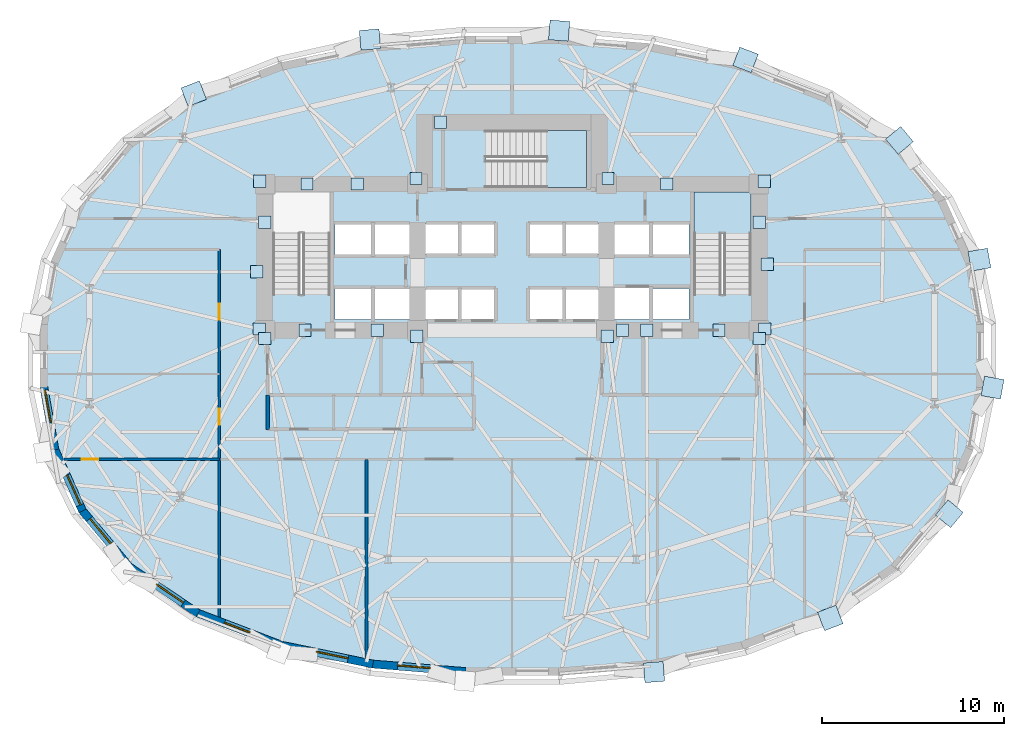
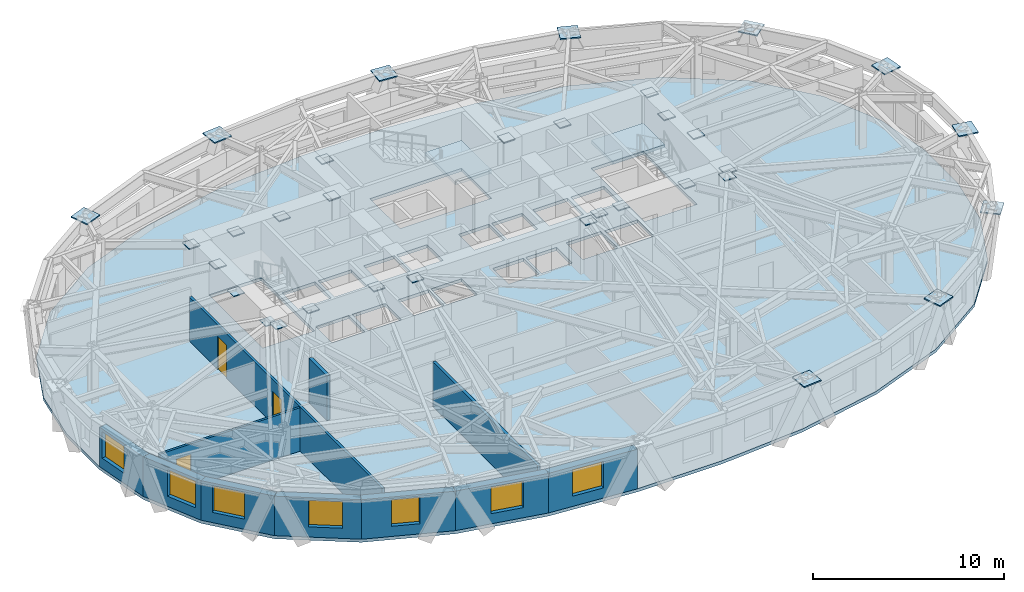
# One storey, part 5 of 13: 33 plates, 11 walls, 7 windows, 3 doors, 3 slabs, 10 openings, 2 elements without a shape of their own.
"""IFC4 building model written with IfcOpenShell, lengths in metres."""

from ifc_helpers import new_model, si_unit, direction, frame, frame_2d, origin, origin_2d, place, context, subcontext, project, spatial, polyline, rectangle, outline, extrude, material, layer, layer_set, type_object, element, fill, aggregate, save


model = new_model("IFC4")

# Units and contexts
model_context = context("Model", 3, precision=1e-05, world=origin(), true_north=direction((0.0, 1.0)))
body_context = subcontext(model_context, "Body", "Model", "MODEL_VIEW")
ifc_project = project(units=[si_unit("LENGTHUNIT", "METRE"), si_unit("AREAUNIT", "SQUARE_METRE"), si_unit("VOLUMEUNIT", "CUBIC_METRE"), si_unit("PLANEANGLEUNIT", "RADIAN"), si_unit("MASSUNIT", "GRAM", prefix="KILO")], contexts=[model_context])

# Site, building, storey
site_placement = place(None, origin())
site = spatial("IfcSite", under=ifc_project, at=site_placement, CompositionType="ELEMENT")
building_placement = place(site_placement, origin())
building = spatial("IfcBuilding", under=site, at=building_placement, Name="Keldmark Tower", CompositionType="ELEMENT")
storey_placement = place(building_placement, frame((0.0, 0.0, 34.199951171875)))
storey = spatial("IfcBuildingStorey", under=building, at=storey_placement, Name="L08", CompositionType="ELEMENT", Elevation=34.199951171875)

# Plates
ifc_material_1 = material(Name="Steel ASTM A572 Grade 50", Category="steel")
ifc_layer_1 = layer(ifc_material_1, 0.06005859375)
ifc_layer_set_1 = layer_set([ifc_layer_1], Name="Steel ASTM A572 Grade 50")
plate_type_1 = type_object("IfcPlateType", Name="Belt Truss Kink Node Assembly KN01 60 mm", PredefinedType="USERDEFINED", material=ifc_layer_set_1)
for number, where, z_axis, x_axis, name in (
    (1, (13.91162109375, 1.473388671875, 3.09814453125), (0.0, 0.0, 1.0), (1.0, 0.0, 0.0), "L08 Core Wall Cast-In Embed Plate 178"),
    (2, (13.878173828125, 9.608154296875, 3.09814453125), (0.0, 0.0, 1.0), (1.0, 0.0, 0.0), "L08 Core Wall Cast-In Embed Plate 179"),
    (3, (5.28515625, 9.758544921875, 3.09814453125), (0.0, 0.0, 1.0), (1.0, 0.0, 0.0), "L08 Core Wall Cast-In Embed Plate 180"),
    (4, (-5.28515625, 9.758544921875, 3.09814453125), (0.0, 0.0, 1.0), (1.0, 0.0, 0.0), "L08 Core Wall Cast-In Embed Plate 181"),
    (5, (-13.878173828125, 9.608154296875, 3.09814453125), (0.0, 0.0, 1.0), (1.0, 0.0, 0.0), "L08 Core Wall Cast-In Embed Plate 182"),
    (6, (-13.91162109375, 1.473388671875, 3.09814453125), (0.0, 0.0, 1.0), (1.0, 0.0, 0.0), "L08 Core Wall Cast-In Embed Plate 183"),
    (7, (-5.24072265625, 1.08251953125, 3.09814453125), (0.0, 0.0, 1.0), (1.0, 0.0, 0.0), "L08 Core Wall Cast-In Embed Plate 184"),
    (8, (5.24072265625, 1.08251953125, 3.09814453125), (0.0, 0.0, 1.0), (1.0, 0.0, 0.0), "L08 Core Wall Cast-In Embed Plate 185"),
    (9, (13.60009765625, 0.949951171875, 3.10400390625), (0.0, 0.0, 1.0), (1.0, 0.0, 0.0), "L08 Core Wall Cast-In Embed Plate 186"),
    (10, (13.60009765625, 7.343017578125, 3.10400390625), (0.0, 0.0, 1.0), (1.0, 0.0, 0.0), "L08 Core Wall Cast-In Embed Plate 187"),
    (11, (8.507080078125, 9.449951171875, 3.10400390625), (0.0, 0.0, 1.0), (1.0, 0.0, 0.0), "L08 Core Wall Cast-In Embed Plate 188"),
    (12, (-11.278564453125, 9.449951171875, 3.10400390625), (0.0, 0.0, 1.0), (1.0, 0.0, 0.0), "L08 Core Wall Cast-In Embed Plate 189"),
    (13, (-3.9375, 12.85009765625, 3.10400390625), (0.0, 0.0, 1.0), (1.0, 0.0, 0.0), "L08 Core Wall Cast-In Embed Plate 190"),
    (14, (-8.507080078125, 9.449951171875, 3.10400390625), (0.0, 0.0, 1.0), (1.0, 0.0, 0.0), "L08 Core Wall Cast-In Embed Plate 191"),
    (15, (-13.60009765625, 7.343017578125, 3.10400390625), (0.0, 0.0, 1.0), (1.0, 0.0, 0.0), "L08 Core Wall Cast-In Embed Plate 192"),
    (16, (-11.392822265625, 1.39990234375, 3.10400390625), (0.0, 0.0, 1.0), (1.0, 0.0, 0.0), "L08 Core Wall Cast-In Embed Plate 193"),
    (17, (-13.60009765625, 0.949951171875, 3.10400390625), (0.0, 0.0, 1.0), (1.0, 0.0, 0.0), "L08 Core Wall Cast-In Embed Plate 194"),
    (18, (-7.406982421875, 1.39990234375, 3.10400390625), (0.0, 0.0, 1.0), (1.0, 0.0, 0.0), "L08 Core Wall Cast-In Embed Plate 195"),
    (19, (7.406982421875, 1.39990234375, 3.10400390625), (0.0, 0.0, 1.0), (1.0, 0.0, 0.0), "L08 Core Wall Cast-In Embed Plate 196"),
    (20, (11.392822265625, 1.39990234375, 3.10400390625), (0.0, 0.0, 1.0), (1.0, 0.0, 0.0), "L08 Core Wall Cast-In Embed Plate 197"),
    (21, (6.07861328125, 1.39990234375, 3.10400390625), (0.0, 0.0, 1.0), (1.0, 0.0, 0.0), "L08 Core Wall Cast-In Embed Plate 198"),
    (22, (-14.044921875, 4.6201171875, 3.14404296875), (0.0, 0.0, 1.0), (1.0, 0.0, 0.0), "L08 Core Wall Cast-In Embed Plate 199"),
    (23, (14.044921875, 5.0400390625, 3.14404296875), (0.0, 0.0, 1.0), (1.0, 0.0, 0.0), "L08 Core Wall Cast-In Embed Plate 200"),
):
    element("IfcPlate", number, at=place(storey_placement, frame(where, z_axis=z_axis, x_axis=x_axis)), inside=storey, type_object=plate_type_1, Name=name, ObjectType="CAP PLATE", PredefinedType="USERDEFINED", context=body_context, shape_type="SweptSolid", body=[
        extrude(rectangle(XDim=0.679931640625, YDim=0.679931640625, at=origin_2d()), origin(), (0.0, 0.0, 1.0), 0.054931640625),
    ])
ifc_material_2 = material(Name="Steel ASTM A572 Grade 50", Category="steel")
ifc_layer_2 = layer(ifc_material_2, 0.074951171875)
ifc_layer_set_2 = layer_set([ifc_layer_2], Name="Steel ASTM A572 Grade 50")
plate_type_2 = type_object("IfcPlateType", Name="Diagrid Node Assembly DN01 75 mm", PredefinedType="USERDEFINED", material=ifc_layer_set_2)
for number, where, z_axis, x_axis, name in (
    (24, (25.716064453125, 5.290283203125, 3.24267578125), (0.0, 0.0, 1.0), (-0.173991929836, 0.984747078367, 0.0), "L08 Diagrid Node Assembly 01"),
    (25, (21.317626953125, 11.8515625, 3.24267578125), (0.0, 0.0, 1.0), (-0.640645906534, 0.767836455531, 0.0), "L08 Diagrid Node Assembly 03"),
    (26, (12.846923828125, 16.282470703125, 3.24267578125), (0.0, 0.0, 1.0), (-0.933955196575, 0.35739011009, 0.0), "L08 Diagrid Node Assembly 05"),
    (27, (2.59228515625, 17.8896484375, 3.24267578125), (0.0, 0.0, 1.0), (-0.996736749763, 0.080720825512, 0.0), "L08 Diagrid Node Assembly 07"),
    (28, (-7.81298828125, 17.39990234375, 3.24267578125), (0.0, 0.0, 1.0), (-0.996736749763, -0.080720825512, 0.0), "L08 Diagrid Node Assembly 09"),
    (29, (-17.510009765625, 14.4228515625, 3.24267578125), (0.0, 0.0, 1.0), (-0.933955196575, -0.35739011009, 0.0), "L08 Diagrid Node Assembly 11"),
    (30, (7.81298828125, -17.39990234375, 3.24267578125), (0.0, 0.0, 1.0), (0.996736749763, 0.080720825512, 0.0), "L08 Diagrid Node Assembly 25"),
    (31, (17.510009765625, -14.4228515625, 3.24267578125), (0.0, 0.0, 1.0), (0.933955196575, 0.35739011009, 0.0), "L08 Diagrid Node Assembly 27"),
    (32, (24.059814453125, -8.689697265625, 3.24267578125), (0.0, 0.0, 1.0), (0.640645906534, 0.767836455531, 0.0), "L08 Diagrid Node Assembly 29"),
    (33, (26.43798828125, -1.750244140625, 3.24267578125), (0.0, 0.0, 1.0), (0.173991929836, 0.984747078367, 0.0), "L08 Diagrid Node Assembly 31"),
):
    element("IfcPlate", number, at=place(storey_placement, frame(where, z_axis=z_axis, x_axis=x_axis)), inside=storey, type_object=plate_type_2, Name=name, ObjectType="GUSSET", PredefinedType="USERDEFINED", context=body_context, shape_type="SweptSolid", body=[
        extrude(rectangle(XDim=1.090087890625, YDim=1.090087890625, at=origin_2d()), origin(), (0.0, 0.0, 1.0), 0.074951171875),
    ])

# Slab
ifc_material_3 = material(Name="Concrete C35/45", Category="concrete")
ifc_layer_3 = layer(ifc_material_3, 0.199951171875)
ifc_layer_set_3 = layer_set([ifc_layer_3], Name="Concrete C35/45")
slab_type_1 = type_object("IfcSlabType", Name="Low-Rise Office Composite Slab 200 mm", PredefinedType="FLOOR", material=ifc_layer_set_3)
slab_1_placement = place(storey_placement, frame((0.0, 0.0, -0.199951171875)))
element("IfcSlab", 34, at=slab_1_placement, inside=storey, type_object=slab_type_1, Name="L08 Composite Structural Floor Slab", PredefinedType="FLOOR", context=body_context, shape_type="SweptSolid", body=[
    extrude(outline(polyline([(25.98291015625, 1.733154296875), (25.3681640625, 5.21142578125), (23.8310546875, 8.62646484375), (21.1982421875, 11.78173828125), (17.39697265625, 14.35595703125), (12.738037109375, 16.13916015625), (7.6953125, 17.179931640625), (2.55908203125, 17.59619140625), (-2.55908203125, 17.59619140625), (-7.6953125, 17.179931640625), (-12.738037109375, 16.13916015625), (-17.39697265625, 14.35595703125), (-21.1982421875, 11.78173828125), (-23.8310546875, 8.62646484375), (-25.3681640625, 5.21142578125), (-25.98291015625, 1.733154296875), (-25.98291015625, -1.733154296875), (-25.3681640625, -5.21142578125), (-23.8310546875, -8.62646484375), (-21.1982421875, -11.78173828125), (-17.39697265625, -14.35595703125), (-12.738037109375, -16.13916015625), (-7.6953125, -17.179931640625), (-2.55908203125, -17.59619140625), (2.55908203125, -17.59619140625), (7.6953125, -17.179931640625), (12.738037109375, -16.13916015625), (17.39697265625, -14.35595703125), (21.1982421875, -11.78173828125), (23.8310546875, -8.62646484375), (25.3681640625, -5.21142578125), (25.98291015625, -1.733154296875), (25.98291015625, 1.733154296875)]), holes=[polyline([(-10.0, 3.385009765625), (-10.0, 9.0), (-13.14990234375, 9.0), (-13.14990234375, 3.385009765625), (-10.0, 3.385009765625)]), polyline([(13.14990234375, 3.385009765625), (13.14990234375, 9.0), (10.0, 9.0), (10.0, 3.385009765625), (13.14990234375, 3.385009765625)]), polyline([(-1.43994140625, 9.25), (4.10498046875, 9.25), (4.10498046875, 12.39990234375), (-1.43994140625, 12.39990234375), (-1.43994140625, 9.25)]), polyline([(-9.75, 2.0), (-7.75, 2.0), (-7.75, 3.699951171875), (-9.75, 3.699951171875), (-9.75, 2.0)]), polyline([(7.75, 2.0), (9.75, 2.0), (9.75, 3.699951171875), (7.75, 3.699951171875), (7.75, 2.0)]), polyline([(5.449951171875, 2.0), (7.550048828125, 2.0), (7.550048828125, 3.75), (5.449951171875, 3.75), (5.449951171875, 2.0)]), polyline([(-4.800048828125, 2.0), (-2.949951171875, 2.0), (-2.949951171875, 3.64990234375), (-4.800048828125, 3.64990234375), (-4.800048828125, 2.0)]), polyline([(-2.800048828125, 2.0), (-0.949951171875, 2.0), (-0.949951171875, 3.64990234375), (-2.800048828125, 3.64990234375), (-2.800048828125, 2.0)]), polyline([(0.949951171875, 2.0), (2.800048828125, 2.0), (2.800048828125, 3.64990234375), (0.949951171875, 3.64990234375), (0.949951171875, 2.0)]), polyline([(2.949951171875, 2.0), (4.800048828125, 2.0), (4.800048828125, 3.64990234375), (2.949951171875, 3.64990234375), (2.949951171875, 2.0)]), polyline([(-4.800048828125, 5.60009765625), (-2.949951171875, 5.60009765625), (-2.949951171875, 7.25), (-4.800048828125, 7.25), (-4.800048828125, 5.60009765625)]), polyline([(-2.800048828125, 5.60009765625), (-0.949951171875, 5.60009765625), (-0.949951171875, 7.25), (-2.800048828125, 7.25), (-2.800048828125, 5.60009765625)]), polyline([(0.949951171875, 5.60009765625), (2.800048828125, 5.60009765625), (2.800048828125, 7.25), (0.949951171875, 7.25), (0.949951171875, 5.60009765625)]), polyline([(2.949951171875, 5.60009765625), (4.800048828125, 5.60009765625), (4.800048828125, 7.25), (2.949951171875, 7.25), (2.949951171875, 5.60009765625)]), polyline([(-9.75, 5.550048828125), (-7.75, 5.550048828125), (-7.75, 7.25), (-9.75, 7.25), (-9.75, 5.550048828125)]), polyline([(-7.550048828125, 5.550048828125), (-5.550048828125, 5.550048828125), (-5.550048828125, 7.25), (-7.550048828125, 7.25), (-7.550048828125, 5.550048828125)]), polyline([(-7.550048828125, 2.0), (-5.550048828125, 2.0), (-5.550048828125, 3.699951171875), (-7.550048828125, 3.699951171875), (-7.550048828125, 2.0)]), polyline([(5.449951171875, 5.550048828125), (7.550048828125, 5.550048828125), (7.550048828125, 7.25), (5.449951171875, 7.25), (5.449951171875, 5.550048828125)]), polyline([(7.75, 5.550048828125), (9.75, 5.550048828125), (9.75, 7.25), (7.75, 7.25), (7.75, 5.550048828125)])]), origin(), (0.0, 0.0, 1.0), 0.199951171875),
])

# Stair, slab
ifc_material_4 = material(Name="Concrete C40/50", Category="concrete")
stair_type = type_object("IfcStairType", Name="Precast Concrete Core Exit Stair", PredefinedType="HALF_TURN_STAIR", material=ifc_material_4)
stair_1_placement = place(storey_placement, origin())
stair_1 = element("IfcStair", 35, at=stair_1_placement, inside=storey, type_object=stair_type, Name="L08 Exit Stair ST2", PredefinedType="HALF_TURN_STAIR")
ifc_material_5 = material(Name="Concrete C40/50", Category="concrete")
ifc_layer_4 = layer(ifc_material_5, 0.199951171875)
ifc_layer_set_4 = layer_set([ifc_layer_4], Name="Concrete C40/50")
slab_type_2 = type_object("IfcSlabType", Name="Reinforced Concrete Stair Landing 200 mm", PredefinedType="LANDING", material=ifc_layer_set_4)
slab_2_placement = place(storey_placement, frame((0.0, 0.0, 1.60009765625)))
slab_2 = element("IfcSlab", 36, at=slab_2_placement, type_object=slab_type_2, Name="ST2 landing 1", PredefinedType="LANDING", context=body_context, shape_type="SweptSolid", body=[
    extrude(outline(polyline([(13.14990234375, 6.72998046875), (13.14990234375, 9.0), (10.0, 9.0), (10.0, 6.72998046875), (13.14990234375, 6.72998046875)])), origin(), (0.0, 0.0, 1.0), 0.199951171875),
])
aggregate(stair_1, [slab_2])

stair_2_placement = place(storey_placement, origin())
stair_2 = element("IfcStair", 37, at=stair_2_placement, inside=storey, type_object=stair_type, Name="L08 Exit Stair ST3", PredefinedType="HALF_TURN_STAIR")
slab_3_placement = place(storey_placement, frame((0.0, 0.0, 1.60009765625)))
slab_3 = element("IfcSlab", 38, at=slab_3_placement, type_object=slab_type_2, Name="ST3 landing 1", PredefinedType="LANDING", context=body_context, shape_type="SweptSolid", body=[
    extrude(outline(polyline([(1.905029296875, 9.25), (4.10498046875, 9.25), (4.10498046875, 12.39990234375), (1.905029296875, 12.39990234375), (1.905029296875, 9.25)])), origin(), (0.0, 0.0, 1.0), 0.199951171875),
])
aggregate(stair_2, [slab_3])

# Wall, openings, doors
ifc_material_6 = material(Name="Acoustic Double-Layer Gypsum Corridor Partition", Category="gypsum")
ifc_layer_5 = layer(ifc_material_6, 0.139892578125)
ifc_layer_set_5 = layer_set([ifc_layer_5], Name="Acoustic Double-Layer Gypsum Corridor Partition")
wall_type_1 = type_object("IfcWallType", Name="Acoustic Corridor Partition 140 mm", PredefinedType="PARTITIONING", material=ifc_layer_set_5)
wall_1_placement = place(storey_placement, frame((-16.10009765625, -14.372802734375, 0.0), z_axis=(0.0, 0.0, 1.0), x_axis=(0.0, 1.0, 0.0)))
wall_1 = element("IfcWall", 39, at=wall_1_placement, inside=storey, type_object=wall_type_1, Name="L08 Acoustic Corridor Partition 140 mm COR-W", PredefinedType="PARTITIONING", context=body_context, shape_type="SweptSolid", body=[
    extrude(rectangle(XDim=20.222900390625, YDim=0.139892578125, at=frame_2d((10.111328125, 0.0))), origin(), (0.0, 0.0, 1.0), 2.841064453125),
])
opening_1_placement = place(wall_1_placement, frame((10.572509765625, 0.0, 0.0)))
opening_1 = element("IfcOpeningElement", 40, at=opening_1_placement, cuts=wall_1, Name="Opening D-IN090", PredefinedType="OPENING", context=body_context, shape_type="SweptSolid", body=[
    extrude(rectangle(XDim=0.89990234375, YDim=2.10009765625, at=frame_2d((0.449951171875, 1.050048828125))), frame((0.0, 0.079833984375, 0.0), z_axis=(0.0, -1.0, 0.0), x_axis=(1.0, 0.0, 0.0)), (0.0, 0.0, 1.0), 0.159912109375),
])
opening_2_placement = place(wall_1_placement, frame((16.347412109375, 0.0, 0.0)))
opening_2 = element("IfcOpeningElement", 41, at=opening_2_placement, cuts=wall_1, Name="Opening D-IN090", PredefinedType="OPENING", context=body_context, shape_type="SweptSolid", body=[
    extrude(rectangle(XDim=0.89990234375, YDim=2.10009765625, at=frame_2d((0.449951171875, 1.050048828125))), frame((0.0, 0.079833984375, 0.0), z_axis=(0.0, -1.0, 0.0), x_axis=(1.0, 0.0, 0.0)), (0.0, 0.0, 1.0), 0.159912109375),
])
ifc_material_7 = material(Name="Stained American White Oak Veneer", Category="wood")
door_type = type_object("IfcDoorType", Name="Interior Door 900x2100", OperationType="NOTDEFINED", PredefinedType="DOOR", material=ifc_material_7)
door_1_placement = place(opening_1_placement, origin())
door_1 = element("IfcDoor", 42, at=door_1_placement, inside=storey, type_object=door_type, Name="L08 Interior Door 900x2100 D-WR-1-L08", OperationType="SINGLE_SWING_LEFT", OverallHeight=2.10009765625, OverallWidth=0.89990234375, PredefinedType="DOOR", context=body_context, shape_type="SweptSolid", body=[
    extrude(rectangle(XDim=0.89990234375, YDim=2.10009765625, at=frame_2d((0.449951171875, 1.050048828125))), frame((0.0, 0.02490234375, 0.0), z_axis=(0.0, -1.0, 0.0), x_axis=(1.0, 0.0, 0.0)), (0.0, 0.0, 1.0), 0.050048828125),
])
fill(opening_1, door_1)
door_2_placement = place(opening_2_placement, origin())
door_2 = element("IfcDoor", 43, at=door_2_placement, inside=storey, type_object=door_type, Name="L08 Interior Door 900x2100 D-WR-2-L08", OperationType="SINGLE_SWING_RIGHT", OverallHeight=2.10009765625, OverallWidth=0.89990234375, PredefinedType="DOOR", context=body_context, shape_type="SweptSolid", body=[
    extrude(rectangle(XDim=0.89990234375, YDim=2.10009765625, at=frame_2d((0.449951171875, 1.050048828125))), frame((0.0, 0.02490234375, 0.0), z_axis=(0.0, -1.0, 0.0), x_axis=(1.0, 0.0, 0.0)), (0.0, 0.0, 1.0), 0.050048828125),
])
fill(opening_2, door_2)

# Walls
ifc_material_8 = material(Name="STC-58 Insulated Tenant Demising Gypsum Partition", Category="gypsum")
ifc_layer_6 = layer(ifc_material_8, 0.175048828125)
ifc_layer_set_6 = layer_set([ifc_layer_6], Name="STC-58 Insulated Tenant Demising Gypsum Partition")
wall_type_2 = type_object("IfcWallType", Name="Demising Suite Partition 175 mm", PredefinedType="PARTITIONING", material=ifc_layer_set_6)
wall_2_placement = place(storey_placement, frame((-8.0, -16.65966796875, 0.0), z_axis=(0.0, 0.0, 1.0), x_axis=(0.0, 1.0, 0.0)))
element("IfcWall", 44, at=wall_2_placement, inside=storey, type_object=wall_type_2, Name="L08 Demising Suite Partition 175 mm S-DIV-1", PredefinedType="PARTITIONING", context=body_context, shape_type="SweptSolid", body=[
    extrude(rectangle(XDim=10.959716796875, YDim=0.175048828125, at=frame_2d((5.47998046875, 0.0))), origin(), (0.0, 0.0, 1.0), 2.85302734375),
])
ifc_material_9 = material(Name="Heavy Acoustic Plumbing Chase Gypsum Assembly", Category="gypsum")
ifc_layer_7 = layer(ifc_material_9, 0.18994140625)
ifc_layer_set_7 = layer_set([ifc_layer_7], Name="Heavy Acoustic Plumbing Chase Gypsum Assembly")
wall_type_3 = type_object("IfcWallType", Name="Heavy Wet Wall 190 mm", PredefinedType="PLUMBINGWALL", material=ifc_layer_set_7)
wall_3_placement = place(storey_placement, frame((-13.449951171875, -4.050048828125, 0.0), z_axis=(0.0, 0.0, 1.0), x_axis=(0.0, 1.0, 0.0)))
element("IfcWall", 45, at=wall_3_placement, inside=storey, type_object=wall_type_3, Name="L08 Heavy Wet Wall 190 mm SPK-W-W", PredefinedType="PLUMBINGWALL", context=body_context, shape_type="SweptSolid", body=[
    extrude(rectangle(XDim=1.900146484375, YDim=0.18994140625, at=frame_2d((0.9501953125, 0.0))), origin(), (0.0, 0.0, 1.0), 2.85302734375),
])

# Wall, opening, door
ifc_material_10 = material(Name="Acoustic Gypsum Board Interior Partition", Category="gypsum")
ifc_layer_8 = layer(ifc_material_10, 0.1298828125)
ifc_layer_set_8 = layer_set([ifc_layer_8], Name="Acoustic Gypsum Board Interior Partition")
wall_type_4 = type_object("IfcWallType", Name="Interior Partition 130 mm", PredefinedType="PARTITIONING", material=ifc_layer_set_8)
wall_4_placement = place(storey_placement, frame((-24.656982421875, -5.699951171875, 0.0), z_axis=(0.0, 0.0, 1.0), x_axis=(1.0, 0.0, 0.0)))
wall_4 = element("IfcWall", 46, at=wall_4_placement, inside=storey, type_object=wall_type_4, Name="L08 Interior Partition 130 mm W-CAP-S", PredefinedType="PARTITIONING", context=body_context, shape_type="SweptSolid", body=[
    extrude(rectangle(XDim=8.556884765625, YDim=0.1298828125, at=frame_2d((4.2783203125, 0.0))), origin(), (0.0, 0.0, 1.0), 2.779052734375),
])
opening_3_placement = place(wall_4_placement, frame((0.989990234375, 0.0, 0.0)))
opening_3 = element("IfcOpeningElement", 47, at=opening_3_placement, cuts=wall_4, Name="Opening D-IN090", PredefinedType="OPENING", context=body_context, shape_type="SweptSolid", body=[
    extrude(rectangle(XDim=0.89990234375, YDim=2.10009765625, at=frame_2d((0.449951171875, 1.050048828125))), frame((0.0, 0.074951171875, 0.0), z_axis=(0.0, -1.0, 0.0), x_axis=(1.0, 0.0, 0.0)), (0.0, 0.0, 1.0), 0.14990234375),
])
door_3_placement = place(opening_3_placement, origin())
door_3 = element("IfcDoor", 48, at=door_3_placement, inside=storey, type_object=door_type, Name="L08 Interior Door 900x2100 D-WRSW-L08", OperationType="SINGLE_SWING_LEFT", OverallHeight=2.10009765625, OverallWidth=0.89990234375, PredefinedType="DOOR", context=body_context, shape_type="SweptSolid", body=[
    extrude(rectangle(XDim=0.89990234375, YDim=2.10009765625, at=frame_2d((0.449951171875, 1.050048828125))), frame((0.0, 0.02490234375, 0.0), z_axis=(0.0, -1.0, 0.0), x_axis=(1.0, 0.0, 0.0)), (0.0, 0.0, 1.0), 0.050048828125),
])
fill(opening_3, door_3)

# Wall, opening, window
ifc_material_11 = material(Name="Ironspot Manganese Brick and Kasota Buff Limestone Spandrel Assembly", Category="masonry")
ifc_layer_9 = layer(ifc_material_11, 0.43994140625)
ifc_layer_set_9 = layer_set([ifc_layer_9], Name="Ironspot Manganese Brick and Kasota Buff Limestone Spandrel Assembly")
wall_type_5 = type_object("IfcWallType", Name="Tower Brick Pier and Spandrel Wall 440 mm", PredefinedType="STANDARD", material=ifc_layer_set_9)
wall_5_placement = place(storey_placement, frame((-25.151611328125, -5.173095703125, 0.0), z_axis=(0.0, 0.0, 1.0), x_axis=(-0.174041624961, 0.984738296595, 0.0)))
wall_5 = element("IfcWall", 49, at=wall_5_placement, inside=storey, type_object=wall_type_5, Name="L08 Exterior Brick and Spandrel Wall 17", PredefinedType="STANDARD", context=body_context, shape_type="SweptSolid", body=[
    extrude(rectangle(XDim=3.5322265625, YDim=0.43994140625, at=frame_2d((1.76611328125, 0.0))), origin(), (0.0, 0.0, 1.0), 2.532958984375),
])
opening_4_placement = place(wall_5_placement, frame((1.5322265625, 0.0, 0.64990234375)))
opening_4 = element("IfcOpeningElement", 50, at=opening_4_placement, cuts=wall_5, Name="Opening W-02", PredefinedType="OPENING", context=body_context, shape_type="SweptSolid", body=[
    extrude(rectangle(XDim=1.800048828125, YDim=1.699951171875, at=frame_2d((0.89990234375, 0.85009765625))), frame((0.0, 0.22998046875, 0.0), z_axis=(0.0, -1.0, 0.0), x_axis=(1.0, 0.0, 0.0)), (0.0, 0.0, 1.0), 0.4599609375),
])
ifc_material_12 = material(Name="Thermally Broken Anodized Aluminum and Triple Low-E Argon Glazing", Category="aluminium")
window_type_1 = type_object("IfcWindowType", Name="Office Deep-Set Triple Window 1800x1700", PartitioningType="TRIPLE_PANEL_VERTICAL", PredefinedType="WINDOW", material=ifc_material_12)
window_1_placement = place(opening_4_placement, origin())
window_1 = element("IfcWindow", 51, at=window_1_placement, inside=storey, type_object=window_type_1, Name="L08 Deep-Set Window 17", OverallHeight=1.699951171875, OverallWidth=1.800048828125, PartitioningType="SINGLE_PANEL", PredefinedType="WINDOW", context=body_context, shape_type="SweptSolid", body=[
    extrude(rectangle(XDim=1.800048828125, YDim=1.699951171875, at=frame_2d((0.89990234375, 0.85009765625))), frame((0.0, -0.010009765625, 0.0), z_axis=(0.0, -1.0, 0.0), x_axis=(1.0, 0.0, 0.0)), (0.0, 0.0, 1.0), 0.06005859375),
])
fill(opening_4, window_1)

wall_6_placement = place(storey_placement, frame((-23.630615234375, -8.5361328125, 0.0), z_axis=(0.0, 0.0, 1.0), x_axis=(-0.410386362845, 0.911911746383, 0.0)))
wall_6 = element("IfcWall", 52, at=wall_6_placement, inside=storey, type_object=wall_type_5, Name="L08 Exterior Brick and Spandrel Wall 18", PredefinedType="STANDARD", context=body_context, shape_type="SweptSolid", body=[
    extrude(rectangle(XDim=3.744873046875, YDim=0.43994140625, at=frame_2d((1.87255859375, 0.0))), origin(), (0.0, 0.0, 1.0), 2.532958984375),
])
opening_5_placement = place(wall_6_placement, frame((0.349609375, 0.0, 0.64990234375)))
opening_5 = element("IfcOpeningElement", 53, at=opening_5_placement, cuts=wall_6, Name="Opening W-02", PredefinedType="OPENING", context=body_context, shape_type="SweptSolid", body=[
    extrude(rectangle(XDim=1.800048828125, YDim=1.699951171875, at=frame_2d((0.89990234375, 0.85009765625))), frame((0.0, 0.22998046875, 0.0), z_axis=(0.0, -1.0, 0.0), x_axis=(1.0, 0.0, 0.0)), (0.0, 0.0, 1.0), 0.4599609375),
])
window_2_placement = place(opening_5_placement, origin())
window_2 = element("IfcWindow", 54, at=window_2_placement, inside=storey, type_object=window_type_1, Name="L08 Deep-Set Window 18", OverallHeight=1.699951171875, OverallWidth=1.800048828125, PartitioningType="SINGLE_PANEL", PredefinedType="WINDOW", context=body_context, shape_type="SweptSolid", body=[
    extrude(rectangle(XDim=1.800048828125, YDim=1.699951171875, at=frame_2d((0.89990234375, 0.85009765625))), frame((0.0, -0.010009765625, 0.0), z_axis=(0.0, -1.0, 0.0), x_axis=(1.0, 0.0, 0.0)), (0.0, 0.0, 1.0), 0.06005859375),
])
fill(opening_5, window_2)

wall_7_placement = place(storey_placement, frame((-21.029296875, -11.640625, 0.0), z_axis=(0.0, 0.0, 1.0), x_axis=(-0.64070435578, 0.767787684509, 0.0)))
wall_7 = element("IfcWall", 55, at=wall_7_placement, inside=storey, type_object=wall_type_5, Name="L08 Exterior Brick and Spandrel Wall 19", PredefinedType="STANDARD", context=body_context, shape_type="SweptSolid", body=[
    extrude(rectangle(XDim=4.109130859375, YDim=0.43994140625, at=frame_2d((2.0546875, 0.0))), origin(), (0.0, 0.0, 1.0), 2.532958984375),
])
opening_6_placement = place(wall_7_placement, frame((1.668701171875, 0.0, 0.64990234375)))
opening_6 = element("IfcOpeningElement", 56, at=opening_6_placement, cuts=wall_7, Name="Opening W-02", PredefinedType="OPENING", context=body_context, shape_type="SweptSolid", body=[
    extrude(rectangle(XDim=1.800048828125, YDim=1.699951171875, at=frame_2d((0.89990234375, 0.85009765625))), frame((0.0, 0.22998046875, 0.0), z_axis=(0.0, -1.0, 0.0), x_axis=(1.0, 0.0, 0.0)), (0.0, 0.0, 1.0), 0.4599609375),
])
window_3_placement = place(opening_6_placement, origin())
window_3 = element("IfcWindow", 57, at=window_3_placement, inside=storey, type_object=window_type_1, Name="L08 Deep-Set Window 19", OverallHeight=1.699951171875, OverallWidth=1.800048828125, PartitioningType="SINGLE_PANEL", PredefinedType="WINDOW", context=body_context, shape_type="SweptSolid", body=[
    extrude(rectangle(XDim=1.800048828125, YDim=1.699951171875, at=frame_2d((0.89990234375, 0.85009765625))), frame((0.0, -0.010009765625, 0.0), z_axis=(0.0, -1.0, 0.0), x_axis=(1.0, 0.0, 0.0)), (0.0, 0.0, 1.0), 0.06005859375),
])
fill(opening_6, window_3)

wall_8_placement = place(storey_placement, frame((-17.273681640625, -14.173828125, 0.0), z_axis=(0.0, 0.0, 1.0), x_axis=(-0.828003115717, 0.560723497246, 0.0)))
wall_8 = element("IfcWall", 58, at=wall_8_placement, inside=storey, type_object=wall_type_5, Name="L08 Exterior Brick and Spandrel Wall 20", PredefinedType="STANDARD", context=body_context, shape_type="SweptSolid", body=[
    extrude(rectangle(XDim=4.5908203125, YDim=0.43994140625, at=frame_2d((2.29541015625, 0.0))), origin(), (0.0, 0.0, 1.0), 2.529052734375),
])
opening_7_placement = place(wall_8_placement, frame((0.9970703125, 0.0, 0.64990234375)))
opening_7 = element("IfcOpeningElement", 59, at=opening_7_placement, cuts=wall_8, Name="Opening W-02", PredefinedType="OPENING", context=body_context, shape_type="SweptSolid", body=[
    extrude(rectangle(XDim=1.800048828125, YDim=1.699951171875, at=frame_2d((0.89990234375, 0.85009765625))), frame((0.0, 0.22998046875, 0.0), z_axis=(0.0, -1.0, 0.0), x_axis=(1.0, 0.0, 0.0)), (0.0, 0.0, 1.0), 0.4599609375),
])
window_4_placement = place(opening_7_placement, origin())
window_4 = element("IfcWindow", 60, at=window_4_placement, inside=storey, type_object=window_type_1, Name="L08 Deep-Set Window 20", OverallHeight=1.699951171875, OverallWidth=1.800048828125, PartitioningType="SINGLE_PANEL", PredefinedType="WINDOW", context=body_context, shape_type="SweptSolid", body=[
    extrude(rectangle(XDim=1.800048828125, YDim=1.699951171875, at=frame_2d((0.89990234375, 0.85009765625))), frame((0.0, -0.010009765625, 0.0), z_axis=(0.0, -1.0, 0.0), x_axis=(1.0, 0.0, 0.0)), (0.0, 0.0, 1.0), 0.06005859375),
])
fill(opening_7, window_4)

wall_9_placement = place(storey_placement, frame((-12.659423828125, -15.93359375, 0.0), z_axis=(0.0, 0.0, 1.0), x_axis=(-0.933928375579, 0.357460192592, 0.0)))
wall_9 = element("IfcWall", 61, at=wall_9_placement, inside=storey, type_object=wall_type_5, Name="L08 Exterior Brick and Spandrel Wall 21", PredefinedType="STANDARD", context=body_context, shape_type="SweptSolid", body=[
    extrude(rectangle(XDim=4.988525390625, YDim=0.43994140625, at=frame_2d((2.494140625, 0.0))), origin(), (0.0, 0.0, 1.0), 2.529052734375),
])
opening_8_placement = place(wall_9_placement, frame((1.893798828125, 0.0, 0.64990234375)))
opening_8 = element("IfcOpeningElement", 62, at=opening_8_placement, cuts=wall_9, Name="Opening W-03", PredefinedType="OPENING", context=body_context, shape_type="SweptSolid", body=[
    extrude(rectangle(XDim=1.5, YDim=1.699951171875, at=frame_2d((0.75, 0.85009765625))), frame((0.0, 0.22998046875, 0.0), z_axis=(0.0, -1.0, 0.0), x_axis=(1.0, 0.0, 0.0)), (0.0, 0.0, 1.0), 0.4599609375),
])
ifc_material_13 = material(Name="Thermally Broken Anodized Aluminum and Triple Low-E Argon Glazing", Category="aluminium")
window_type_2 = type_object("IfcWindowType", Name="Office Corner Deep-Set Window 1500x1700", PartitioningType="DOUBLE_PANEL_VERTICAL", PredefinedType="WINDOW", material=ifc_material_13)
window_5_placement = place(opening_8_placement, origin())
window_5 = element("IfcWindow", 63, at=window_5_placement, inside=storey, type_object=window_type_2, Name="L08 Deep-Set Window 21", OverallHeight=1.699951171875, OverallWidth=1.5, PartitioningType="SINGLE_PANEL", PredefinedType="WINDOW", context=body_context, shape_type="SweptSolid", body=[
    extrude(rectangle(XDim=1.5, YDim=1.699951171875, at=frame_2d((0.75, 0.85009765625))), frame((0.0, -0.010009765625, 0.0), z_axis=(0.0, -1.0, 0.0), x_axis=(1.0, 0.0, 0.0)), (0.0, 0.0, 1.0), 0.06005859375),
])
fill(opening_8, window_5)

wall_10_placement = place(storey_placement, frame((-7.65087890625, -16.964599609375, 0.0), z_axis=(0.0, 0.0, 1.0), x_axis=(-0.979349207435, 0.202175987437, 0.0)))
wall_10 = element("IfcWall", 64, at=wall_10_placement, inside=storey, type_object=wall_type_5, Name="L08 Exterior Brick and Spandrel Wall 22", PredefinedType="STANDARD", context=body_context, shape_type="SweptSolid", body=[
    extrude(rectangle(XDim=5.149169921875, YDim=0.43994140625, at=frame_2d((2.57470703125, 0.0))), origin(), (0.0, 0.0, 1.0), 2.532958984375),
])
opening_9_placement = place(wall_10_placement, frame((1.399658203125, 0.0, 0.64990234375)))
opening_9 = element("IfcOpeningElement", 65, at=opening_9_placement, cuts=wall_10, Name="Opening W-02", PredefinedType="OPENING", context=body_context, shape_type="SweptSolid", body=[
    extrude(rectangle(XDim=1.800048828125, YDim=1.699951171875, at=frame_2d((0.89990234375, 0.85009765625))), frame((0.0, 0.22998046875, 0.0), z_axis=(0.0, -1.0, 0.0), x_axis=(1.0, 0.0, 0.0)), (0.0, 0.0, 1.0), 0.4599609375),
])
window_6_placement = place(opening_9_placement, origin())
window_6 = element("IfcWindow", 66, at=window_6_placement, inside=storey, type_object=window_type_1, Name="L08 Deep-Set Window 22", OverallHeight=1.699951171875, OverallWidth=1.800048828125, PartitioningType="SINGLE_PANEL", PredefinedType="WINDOW", context=body_context, shape_type="SweptSolid", body=[
    extrude(rectangle(XDim=1.800048828125, YDim=1.699951171875, at=frame_2d((0.89990234375, 0.85009765625))), frame((0.0, -0.010009765625, 0.0), z_axis=(0.0, -1.0, 0.0), x_axis=(1.0, 0.0, 0.0)), (0.0, 0.0, 1.0), 0.06005859375),
])
fill(opening_9, window_6)

wall_11_placement = place(storey_placement, frame((-2.541259765625, -17.376953125, 0.0), z_axis=(0.0, 0.0, 1.0), x_axis=(-0.996732038622, 0.080778977367, 0.0)))
wall_11 = element("IfcWall", 67, at=wall_11_placement, inside=storey, type_object=wall_type_5, Name="L08 Exterior Brick and Spandrel Wall 23", PredefinedType="STANDARD", context=body_context, shape_type="SweptSolid", body=[
    extrude(rectangle(XDim=5.153076171875, YDim=0.43994140625, at=frame_2d((2.57666015625, 0.0))), origin(), (0.0, 0.0, 1.0), 2.532958984375),
])
opening_10_placement = place(wall_11_placement, frame((1.971923828125, 0.0, 0.64990234375)))
opening_10 = element("IfcOpeningElement", 68, at=opening_10_placement, cuts=wall_11, Name="Opening W-02", PredefinedType="OPENING", context=body_context, shape_type="SweptSolid", body=[
    extrude(rectangle(XDim=1.800048828125, YDim=1.699951171875, at=frame_2d((0.89990234375, 0.85009765625))), frame((0.0, 0.22998046875, 0.0), z_axis=(0.0, -1.0, 0.0), x_axis=(1.0, 0.0, 0.0)), (0.0, 0.0, 1.0), 0.4599609375),
])
window_7_placement = place(opening_10_placement, origin())
window_7 = element("IfcWindow", 69, at=window_7_placement, inside=storey, type_object=window_type_1, Name="L08 Deep-Set Window 23", OverallHeight=1.699951171875, OverallWidth=1.800048828125, PartitioningType="SINGLE_PANEL", PredefinedType="WINDOW", context=body_context, shape_type="SweptSolid", body=[
    extrude(rectangle(XDim=1.800048828125, YDim=1.699951171875, at=frame_2d((0.89990234375, 0.85009765625))), frame((0.0, -0.010009765625, 0.0), z_axis=(0.0, -1.0, 0.0), x_axis=(1.0, 0.0, 0.0)), (0.0, 0.0, 1.0), 0.06005859375),
])
fill(opening_10, window_7)

save(model, "model.ifc")
